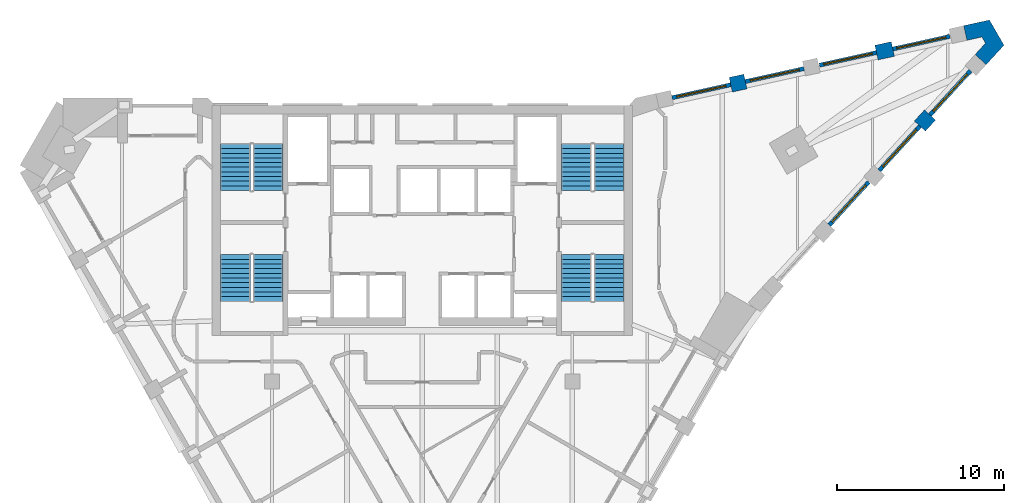
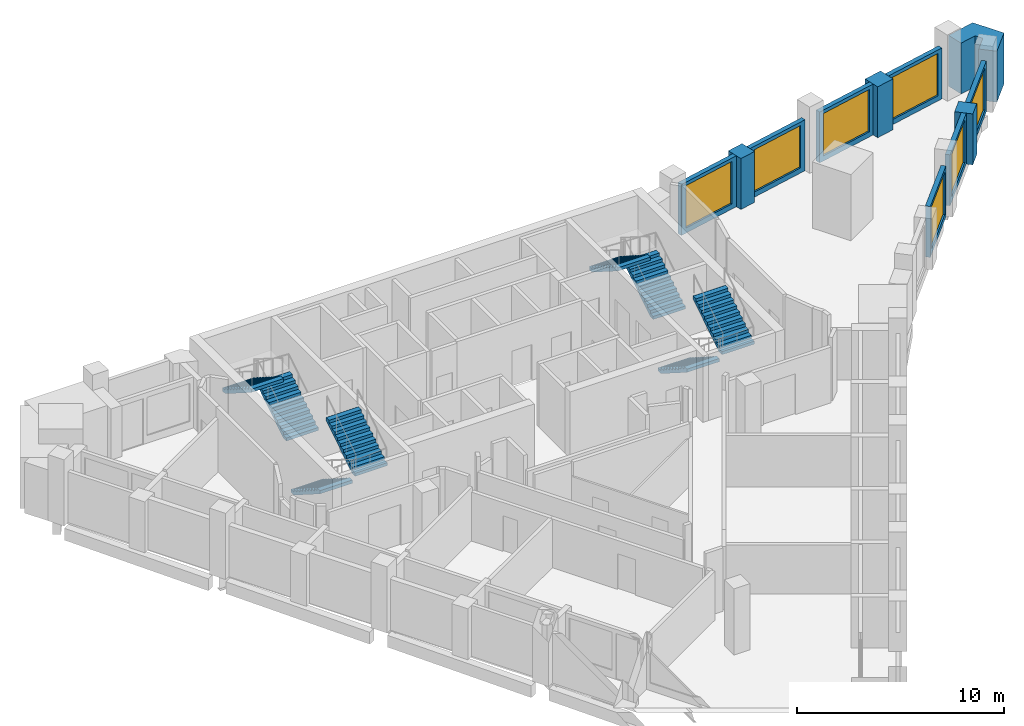
# One storey, part 7 of 8: 11 walls, 8 stair flights, 7 windows, 7 openings, 4 elements without a shape of their own.
"""IFC4 building model written with IfcOpenShell, lengths in metres."""

from ifc_helpers import new_model, si_unit, direction, frame, frame_2d, origin, place, context, subcontext, project, spatial, polyline, rectangle, outline, extrude, faceted_brep, source, transform, mapped, material, layer, layer_set, type_object, element, fill, aggregate, save


model = new_model("IFC4")

# Units and contexts
model_context = context("Model", 3, precision=1e-05, world=origin(), true_north=direction((0.0, 1.0)))
body_context = subcontext(model_context, "Body", "Model", "MODEL_VIEW")
ifc_project = project(units=[si_unit("LENGTHUNIT", "METRE"), si_unit("AREAUNIT", "SQUARE_METRE"), si_unit("VOLUMEUNIT", "CUBIC_METRE"), si_unit("PLANEANGLEUNIT", "RADIAN"), si_unit("MASSUNIT", "GRAM", prefix="KILO")], contexts=[model_context])

# Site, building, storey
site_placement = place(None, origin())
site = spatial("IfcSite", under=ifc_project, at=site_placement, CompositionType="ELEMENT")
building_placement = place(site_placement, origin())
building = spatial("IfcBuilding", under=site, at=building_placement, Name="Calabash Gate Tower", CompositionType="ELEMENT")
storey_placement = place(building_placement, frame((0.0, 0.0, 275.5)))
storey = spatial("IfcBuildingStorey", under=building, at=storey_placement, Name="L66", CompositionType="ELEMENT", Elevation=275.5)

# Walls
ifc_material_1 = material(Name="Terracotta brick masonry, exposed face", Category="masonry")
ifc_layer_1 = layer(ifc_material_1, 0.89990234375)
ifc_layer_set_1 = layer_set([ifc_layer_1], Name="Brick end wall 900")
wall_type_1 = type_object("IfcWallType", Name="Brick end wall 900", PredefinedType="SOLIDWALL", material=ifc_layer_set_1)
wall_1_placement = place(storey_placement, frame((30.44482421875, 18.47900390625, 0.0), z_axis=(0.0, 0.0, 1.0), x_axis=(-0.674938051731, -0.737874397391, 0.0)))
element("IfcWall", 1, at=wall_1_placement, inside=storey, type_object=wall_type_1, Name="Brick pier S19 wedge3.3", PredefinedType="SOLIDWALL", context=body_context, shape_type="SweptSolid", body=[
    extrude(rectangle(XDim=0.89990234375, YDim=0.89990234375, at=frame_2d((0.449951171875, 0.0))), origin(), (0.0, 0.0, 1.0), 3.0),
])
wall_2_placement = place(storey_placement, frame((28.21728515625, 22.436279296875, 0.0), z_axis=(0.0, 0.0, 1.0), x_axis=(-0.97656888558, -0.215205045752, 0.0)))
element("IfcWall", 2, at=wall_2_placement, inside=storey, type_object=wall_type_1, Name="Brick pier S19 wedge5.1", PredefinedType="SOLIDWALL", context=body_context, shape_type="SweptSolid", body=[
    extrude(rectangle(XDim=1.00390625, YDim=0.89990234375, at=frame_2d((0.501953125, 0.0))), origin(), (0.0, 0.0, 1.0), 3.0),
])
wall_3_placement = place(storey_placement, frame((18.4990234375, 20.2919921875, 0.0), z_axis=(0.0, 0.0, 1.0), x_axis=(0.976473402733, 0.215637876437, 0.0)))
element("IfcWall", 3, at=wall_3_placement, inside=storey, type_object=wall_type_1, Name="Brick pier S19 wedge5.3", PredefinedType="SOLIDWALL", context=body_context, shape_type="SweptSolid", body=[
    extrude(rectangle(XDim=0.900146484375, YDim=0.89990234375, at=frame_2d((0.4501953125, 0.0))), origin(), (0.0, 0.0, 1.0), 3.0),
])
wall_4_placement = place(storey_placement, origin())
element("IfcWall", 4, at=wall_4_placement, inside=storey, type_object=wall_type_1, Name="Brick end wall S19 2", PredefinedType="SOLIDWALL", context=body_context, shape_type="SweptSolid", body=[
    extrude(outline(polyline([(33.813720703125, 21.496337890625), (34.881591796875, 22.663818359375), (34.0087890625, 24.175048828125), (32.4638671875, 23.834228515625), (32.65771484375, 22.955322265625), (33.55908203125, 23.154296875), (33.7724609375, 22.78466796875), (33.149658203125, 22.103759765625), (33.813720703125, 21.496337890625)])), origin(), (0.0, 0.0, 1.0), 3.0),
])

# Wall, opening, window
ifc_material_2 = material(Name="Aluminium framed window wall with insulated spandrel", Category="aluminium")
ifc_layer_2 = layer(ifc_material_2, 0.25)
ifc_layer_set_2 = layer_set([ifc_layer_2], Name="Prow window wall 250")
wall_type_2 = type_object("IfcWallType", Name="Prow window wall 250", PredefinedType="ELEMENTEDWALL", material=ifc_layer_set_2)
wall_5_placement = place(storey_placement, frame((24.40478515625, 11.87451171875, 0.0), z_axis=(0.0, 0.0, 1.0), x_axis=(0.67487449122, 0.737932531537, 0.0)))
wall_5 = element("IfcWall", 5, at=wall_5_placement, inside=storey, type_object=wall_type_2, Name="Prow window wall S19 wedge3.2", PredefinedType="ELEMENTEDWALL", context=body_context, shape_type="SweptSolid", body=[
    extrude(rectangle(XDim=3.5, YDim=0.25, at=frame_2d((1.75, 0.0))), origin(), (0.0, 0.0, 1.0), 3.0),
])
opening_1_placement = place(wall_5_placement, frame((0.25, 0.0, 0.300048828125)))
opening_1 = element("IfcOpeningElement", 6, at=opening_1_placement, cuts=wall_5, Name="Opening WP2", PredefinedType="OPENING", context=body_context, shape_type="SweptSolid", body=[
    extrude(rectangle(XDim=3.0, YDim=2.5, at=frame_2d((1.5, 1.25))), frame((0.0, 0.135009765625, 0.0), z_axis=(0.0, -1.0, 0.0), x_axis=(1.0, 0.0, 0.0)), (0.0, 0.0, 1.0), 0.27001953125),
])
ifc_material_3 = material(Name="Anodised aluminium frame, bronze finish, impact-rated laminated clear glazing", Category="aluminium")
window_type = type_object("IfcWindowType", Name="Window WP2 3000x2500", PartitioningType="DOUBLE_PANEL_VERTICAL", PredefinedType="WINDOW", material=ifc_material_3)
window_1_placement = place(opening_1_placement, origin())
window_1 = element("IfcWindow", 7, at=window_1_placement, inside=storey, type_object=window_type, Name="Prow window WP2 S19 wedge3.2", OverallHeight=2.5, OverallWidth=3.0, PartitioningType="SINGLE_PANEL", PredefinedType="WINDOW", context=body_context, shape_type="SweptSolid", body=[
    extrude(rectangle(XDim=3.0, YDim=2.5, at=frame_2d((1.5, 1.25))), frame((0.0, 0.030029296875, 0.0), z_axis=(0.0, -1.0, 0.0), x_axis=(1.0, 0.0, 0.0)), (0.0, 0.0, 1.0), 0.06005859375),
])
fill(opening_1, window_1)

wall_6_placement = place(storey_placement, frame((27.407958984375, 15.158203125, 0.0), z_axis=(0.0, 0.0, 1.0), x_axis=(0.674833575111, 0.737969949187, 0.0)))
wall_6 = element("IfcWall", 8, at=wall_6_placement, inside=storey, type_object=wall_type_2, Name="Prow window wall S19 wedge3.3", PredefinedType="ELEMENTEDWALL", context=body_context, shape_type="SweptSolid", body=[
    extrude(rectangle(XDim=3.60009765625, YDim=0.25, at=frame_2d((1.800048828125, 0.0))), origin(), (0.0, 0.0, 1.0), 3.0),
])
opening_2_placement = place(wall_6_placement, frame((0.300048828125, 0.0, 0.300048828125)))
opening_2 = element("IfcOpeningElement", 9, at=opening_2_placement, cuts=wall_6, Name="Opening WP2", PredefinedType="OPENING", context=body_context, shape_type="SweptSolid", body=[
    extrude(rectangle(XDim=3.0, YDim=2.5, at=frame_2d((1.5, 1.25))), frame((0.0, 0.135009765625, 0.0), z_axis=(0.0, -1.0, 0.0), x_axis=(1.0, 0.0, 0.0)), (0.0, 0.0, 1.0), 0.27001953125),
])
window_2_placement = place(opening_2_placement, origin())
window_2 = element("IfcWindow", 10, at=window_2_placement, inside=storey, type_object=window_type, Name="Prow window WP2 S19 wedge3.3", OverallHeight=2.5, OverallWidth=3.0, PartitioningType="SINGLE_PANEL", PredefinedType="WINDOW", context=body_context, shape_type="SweptSolid", body=[
    extrude(rectangle(XDim=3.0, YDim=2.5, at=frame_2d((1.5, 1.25))), frame((0.0, 0.030029296875, 0.0), z_axis=(0.0, -1.0, 0.0), x_axis=(1.0, 0.0, 0.0)), (0.0, 0.0, 1.0), 0.06005859375),
])
fill(opening_2, window_2)

wall_7_placement = place(storey_placement, frame((30.44482421875, 18.47900390625, 0.0), z_axis=(0.0, 0.0, 1.0), x_axis=(0.674833575111, 0.737969949187, 0.0)))
wall_7 = element("IfcWall", 11, at=wall_7_placement, inside=storey, type_object=wall_type_2, Name="Prow window wall S19 wedge3.4", PredefinedType="ELEMENTEDWALL", context=body_context, shape_type="SweptSolid", body=[
    extrude(rectangle(XDim=3.60009765625, YDim=0.25, at=frame_2d((1.800048828125, 0.0))), origin(), (0.0, 0.0, 1.0), 3.0),
])
opening_3_placement = place(wall_7_placement, frame((0.300048828125, 0.0, 0.300048828125)))
opening_3 = element("IfcOpeningElement", 12, at=opening_3_placement, cuts=wall_7, Name="Opening WP2", PredefinedType="OPENING", context=body_context, shape_type="SweptSolid", body=[
    extrude(rectangle(XDim=3.0, YDim=2.5, at=frame_2d((1.5, 1.25))), frame((0.0, 0.135009765625, 0.0), z_axis=(0.0, -1.0, 0.0), x_axis=(1.0, 0.0, 0.0)), (0.0, 0.0, 1.0), 0.27001953125),
])
window_3_placement = place(opening_3_placement, origin())
window_3 = element("IfcWindow", 13, at=window_3_placement, inside=storey, type_object=window_type, Name="Prow window WP2 S19 wedge3.4", OverallHeight=2.5, OverallWidth=3.0, PartitioningType="SINGLE_PANEL", PredefinedType="WINDOW", context=body_context, shape_type="SweptSolid", body=[
    extrude(rectangle(XDim=3.0, YDim=2.5, at=frame_2d((1.5, 1.25))), frame((0.0, 0.030029296875, 0.0), z_axis=(0.0, -1.0, 0.0), x_axis=(1.0, 0.0, 0.0)), (0.0, 0.0, 1.0), 0.06005859375),
])
fill(opening_3, window_3)

wall_8_placement = place(storey_placement, frame((31.633056640625, 23.190185546875, 0.0), z_axis=(0.0, 0.0, 1.0), x_axis=(-0.976509313763, -0.215475196101, 0.0)))
wall_8 = element("IfcWall", 14, at=wall_8_placement, inside=storey, type_object=wall_type_2, Name="Prow window wall S19 wedge5.1", PredefinedType="ELEMENTEDWALL", context=body_context, shape_type="SweptSolid", body=[
    extrude(rectangle(XDim=3.5, YDim=0.25, at=frame_2d((1.75, 0.0))), origin(), (0.0, 0.0, 1.0), 3.0),
])
opening_4_placement = place(wall_8_placement, frame((0.25, 0.0, 0.300048828125)))
opening_4 = element("IfcOpeningElement", 15, at=opening_4_placement, cuts=wall_8, Name="Opening WP2", PredefinedType="OPENING", context=body_context, shape_type="SweptSolid", body=[
    extrude(rectangle(XDim=3.0, YDim=2.5, at=frame_2d((1.5, 1.25))), frame((0.0, 0.135009765625, 0.0), z_axis=(0.0, -1.0, 0.0), x_axis=(1.0, 0.0, 0.0)), (0.0, 0.0, 1.0), 0.27001953125),
])
window_4_placement = place(opening_4_placement, origin())
window_4 = element("IfcWindow", 16, at=window_4_placement, inside=storey, type_object=window_type, Name="Prow window WP2 S19 wedge5.1", OverallHeight=2.5, OverallWidth=3.0, PartitioningType="SINGLE_PANEL", PredefinedType="WINDOW", context=body_context, shape_type="SweptSolid", body=[
    extrude(rectangle(XDim=3.0, YDim=2.5, at=frame_2d((1.5, 1.25))), frame((0.0, 0.030029296875, 0.0), z_axis=(0.0, -1.0, 0.0), x_axis=(1.0, 0.0, 0.0)), (0.0, 0.0, 1.0), 0.06005859375),
])
fill(opening_4, window_4)

wall_9_placement = place(storey_placement, frame((27.23876953125, 22.220458984375, 0.0), z_axis=(0.0, 0.0, 1.0), x_axis=(-0.976509313763, -0.215475196101, 0.0)))
wall_9 = element("IfcWall", 17, at=wall_9_placement, inside=storey, type_object=wall_type_2, Name="Prow window wall S19 wedge5.2", PredefinedType="ELEMENTEDWALL", context=body_context, shape_type="SweptSolid", body=[
    extrude(rectangle(XDim=3.5, YDim=0.25, at=frame_2d((1.75, 0.0))), origin(), (0.0, 0.0, 1.0), 3.0),
])
opening_5_placement = place(wall_9_placement, frame((0.25, 0.0, 0.300048828125)))
opening_5 = element("IfcOpeningElement", 18, at=opening_5_placement, cuts=wall_9, Name="Opening WP2", PredefinedType="OPENING", context=body_context, shape_type="SweptSolid", body=[
    extrude(rectangle(XDim=3.0, YDim=2.5, at=frame_2d((1.5, 1.25))), frame((0.0, 0.135009765625, 0.0), z_axis=(0.0, -1.0, 0.0), x_axis=(1.0, 0.0, 0.0)), (0.0, 0.0, 1.0), 0.27001953125),
])
window_5_placement = place(opening_5_placement, origin())
window_5 = element("IfcWindow", 19, at=window_5_placement, inside=storey, type_object=window_type, Name="Prow window WP2 S19 wedge5.2", OverallHeight=2.5, OverallWidth=3.0, PartitioningType="SINGLE_PANEL", PredefinedType="WINDOW", context=body_context, shape_type="SweptSolid", body=[
    extrude(rectangle(XDim=3.0, YDim=2.5, at=frame_2d((1.5, 1.25))), frame((0.0, 0.030029296875, 0.0), z_axis=(0.0, -1.0, 0.0), x_axis=(1.0, 0.0, 0.0)), (0.0, 0.0, 1.0), 0.06005859375),
])
fill(opening_5, window_5)

wall_10_placement = place(storey_placement, frame((22.893310546875, 21.26171875, 0.0), z_axis=(0.0, 0.0, 1.0), x_axis=(-0.976513072969, -0.215458159096, 0.0)))
wall_10 = element("IfcWall", 20, at=wall_10_placement, inside=storey, type_object=wall_type_2, Name="Prow window wall S19 wedge5.3", PredefinedType="ELEMENTEDWALL", context=body_context, shape_type="SweptSolid", body=[
    extrude(rectangle(XDim=3.599853515625, YDim=0.25, at=frame_2d((1.7998046875, 0.0))), origin(), (0.0, 0.0, 1.0), 3.0),
])
opening_6_placement = place(wall_10_placement, frame((0.300048828125, 0.0, 0.300048828125)))
opening_6 = element("IfcOpeningElement", 21, at=opening_6_placement, cuts=wall_10, Name="Opening WP2", PredefinedType="OPENING", context=body_context, shape_type="SweptSolid", body=[
    extrude(rectangle(XDim=3.0, YDim=2.5, at=frame_2d((1.5, 1.25))), frame((0.0, 0.135009765625, 0.0), z_axis=(0.0, -1.0, 0.0), x_axis=(1.0, 0.0, 0.0)), (0.0, 0.0, 1.0), 0.27001953125),
])
window_6_placement = place(opening_6_placement, origin())
window_6 = element("IfcWindow", 22, at=window_6_placement, inside=storey, type_object=window_type, Name="Prow window WP2 S19 wedge5.3", OverallHeight=2.5, OverallWidth=3.0, PartitioningType="SINGLE_PANEL", PredefinedType="WINDOW", context=body_context, shape_type="SweptSolid", body=[
    extrude(rectangle(XDim=3.0, YDim=2.5, at=frame_2d((1.5, 1.25))), frame((0.0, 0.030029296875, 0.0), z_axis=(0.0, -1.0, 0.0), x_axis=(1.0, 0.0, 0.0)), (0.0, 0.0, 1.0), 0.06005859375),
])
fill(opening_6, window_6)

wall_11_placement = place(storey_placement, frame((18.4990234375, 20.2919921875, 0.0), z_axis=(0.0, 0.0, 1.0), x_axis=(-0.976513072969, -0.215458159096, 0.0)))
wall_11 = element("IfcWall", 23, at=wall_11_placement, inside=storey, type_object=wall_type_2, Name="Prow window wall S19 wedge5.4", PredefinedType="ELEMENTEDWALL", context=body_context, shape_type="SweptSolid", body=[
    extrude(rectangle(XDim=3.599853515625, YDim=0.25, at=frame_2d((1.7998046875, 0.0))), origin(), (0.0, 0.0, 1.0), 3.0),
])
opening_7_placement = place(wall_11_placement, frame((0.300048828125, 0.0, 0.300048828125)))
opening_7 = element("IfcOpeningElement", 24, at=opening_7_placement, cuts=wall_11, Name="Opening WP2", PredefinedType="OPENING", context=body_context, shape_type="SweptSolid", body=[
    extrude(rectangle(XDim=3.0, YDim=2.5, at=frame_2d((1.5, 1.25))), frame((0.0, 0.135009765625, 0.0), z_axis=(0.0, -1.0, 0.0), x_axis=(1.0, 0.0, 0.0)), (0.0, 0.0, 1.0), 0.27001953125),
])
window_7_placement = place(opening_7_placement, origin())
window_7 = element("IfcWindow", 25, at=window_7_placement, inside=storey, type_object=window_type, Name="Prow window WP2 S19 wedge5.4", OverallHeight=2.5, OverallWidth=3.0, PartitioningType="SINGLE_PANEL", PredefinedType="WINDOW", context=body_context, shape_type="SweptSolid", body=[
    extrude(rectangle(XDim=3.0, YDim=2.5, at=frame_2d((1.5, 1.25))), frame((0.0, 0.030029296875, 0.0), z_axis=(0.0, -1.0, 0.0), x_axis=(1.0, 0.0, 0.0)), (0.0, 0.0, 1.0), 0.06005859375),
])
fill(opening_7, window_7)

# Stair, stair flights
ifc_material_4 = material(Name="Concrete C40/50", Category="concrete")
stair_type = type_object("IfcStairType", Name="Exit stair 22 risers of 177.3 mm", PredefinedType="HALF_TURN_STAIR", material=ifc_material_4)
stair_1_placement = place(storey_placement, origin())
stair_1 = element("IfcStair", 26, at=stair_1_placement, inside=storey, type_object=stair_type, Name="L66 Exit stair ST1", PredefinedType="HALF_TURN_STAIR")
ifc_material_5 = material(Name="Concrete C40/50", Category="concrete")
stair_flight_type = type_object("IfcStairFlightType", Name="Exit stair flight SFL", PredefinedType="STRAIGHT", material=ifc_material_5)
shared_shape = source(origin(), body_context, "Body", "Brep", [
    faceted_brep([(-0.0009765625, -0.89990234375, 0.0), (0.279541015625, -0.89990234375, 0.0), (2.791015625, -0.89990234375, 1.59521484375), (-0.0009765625, 0.89990234375, 0.0), (2.791015625, 0.89990234375, 1.59521484375), (0.279541015625, 0.89990234375, 0.0), (2.791015625, -0.89990234375, 1.78466796875), (2.7900390625, -0.89990234375, 1.78466796875), (2.7900390625, 0.89990234375, 1.78466796875), (2.791015625, 0.89990234375, 1.78466796875), (2.7900390625, -0.89990234375, 1.772705078125), (2.7900390625, 0.89990234375, 1.772705078125), (2.510986328125, -0.89990234375, 1.772705078125), (2.510986328125, 0.89990234375, 1.772705078125), (2.510986328125, -0.89990234375, 1.595458984375), (2.510986328125, 0.89990234375, 1.595458984375), (2.23193359375, -0.89990234375, 1.595458984375), (2.23193359375, 0.89990234375, 1.595458984375), (2.23193359375, -0.89990234375, 1.418212890625), (2.23193359375, 0.89990234375, 1.418212890625), (1.952880859375, -0.89990234375, 1.418212890625), (1.952880859375, -0.89990234375, 1.240966796875), (1.952880859375, 0.89990234375, 1.240966796875), (1.952880859375, 0.89990234375, 1.418212890625), (1.674072265625, -0.89990234375, 1.240966796875), (1.674072265625, -0.89990234375, 1.063720703125), (1.674072265625, 0.89990234375, 1.063720703125), (1.674072265625, 0.89990234375, 1.240966796875), (1.39501953125, -0.89990234375, 1.063720703125), (1.39501953125, -0.89990234375, 0.886474609375), (1.39501953125, 0.89990234375, 0.886474609375), (1.39501953125, 0.89990234375, 1.063720703125), (1.115966796875, -0.89990234375, 0.886474609375), (1.115966796875, -0.89990234375, 0.708984375), (1.115966796875, 0.89990234375, 0.708984375), (1.115966796875, 0.89990234375, 0.886474609375), (0.8369140625, -0.89990234375, 0.708984375), (0.8369140625, -0.89990234375, 0.53173828125), (0.8369140625, 0.89990234375, 0.53173828125), (0.8369140625, 0.89990234375, 0.708984375), (0.55810546875, -0.89990234375, 0.53173828125), (0.55810546875, -0.89990234375, 0.3544921875), (0.55810546875, 0.89990234375, 0.3544921875), (0.55810546875, 0.89990234375, 0.53173828125), (0.279052734375, -0.89990234375, 0.3544921875), (0.279052734375, -0.89990234375, 0.17724609375), (0.279052734375, 0.89990234375, 0.17724609375), (0.279052734375, 0.89990234375, 0.3544921875), (-0.0009765625, -0.89990234375, 0.17724609375), (-0.0009765625, 0.89990234375, 0.17724609375), (0.279541015625, -0.360107421875, 0.0), (2.791015625, -0.360107421875, 1.59521484375), (0.279541015625, 0.0, 0.0), (2.791015625, 0.0, 1.59521484375), (0.279541015625, 0.360107421875, 0.0), (2.791015625, 0.360107421875, 1.59521484375), (2.791015625, -0.360107421875, 1.78466796875), (2.791015625, 0.0, 1.78466796875), (2.791015625, 0.360107421875, 1.78466796875), (2.7900390625, -0.360107421875, 1.78466796875), (2.7900390625, 0.0, 1.78466796875), (2.7900390625, 0.360107421875, 1.78466796875), (2.7900390625, -0.360107421875, 1.772705078125), (2.7900390625, 0.0, 1.772705078125), (2.7900390625, 0.360107421875, 1.772705078125), (2.510986328125, -0.360107421875, 1.772705078125), (2.510986328125, 0.0, 1.772705078125), (2.510986328125, 0.360107421875, 1.772705078125), (2.510986328125, -0.360107421875, 1.595458984375), (2.510986328125, 0.0, 1.595458984375), (2.510986328125, 0.360107421875, 1.595458984375), (2.23193359375, -0.360107421875, 1.595458984375), (2.23193359375, 0.0, 1.595458984375), (2.23193359375, 0.360107421875, 1.595458984375), (2.23193359375, -0.360107421875, 1.418212890625), (2.23193359375, 0.0, 1.418212890625), (2.23193359375, 0.360107421875, 1.418212890625), (1.952880859375, -0.360107421875, 1.418212890625), (1.952880859375, 0.0, 1.418212890625), (1.952880859375, 0.360107421875, 1.418212890625), (1.952880859375, -0.360107421875, 1.240966796875), (1.952880859375, 0.0, 1.240966796875), (1.952880859375, 0.360107421875, 1.240966796875), (1.674072265625, -0.360107421875, 1.240966796875), (1.674072265625, 0.0, 1.240966796875), (1.674072265625, 0.360107421875, 1.240966796875), (1.674072265625, -0.360107421875, 1.063720703125), (1.674072265625, 0.0, 1.063720703125), (1.674072265625, 0.360107421875, 1.063720703125), (1.39501953125, -0.360107421875, 1.063720703125), (1.39501953125, 0.0, 1.063720703125), (1.39501953125, 0.360107421875, 1.063720703125), (1.39501953125, -0.360107421875, 0.886474609375), (1.39501953125, 0.0, 0.886474609375), (1.39501953125, 0.360107421875, 0.886474609375), (1.115966796875, -0.360107421875, 0.886474609375), (1.115966796875, 0.0, 0.886474609375), (1.115966796875, 0.360107421875, 0.886474609375), (1.115966796875, -0.360107421875, 0.708984375), (1.115966796875, 0.0, 0.708984375), (1.115966796875, 0.360107421875, 0.708984375), (0.8369140625, -0.360107421875, 0.708984375), (0.8369140625, 0.0, 0.708984375), (0.8369140625, 0.360107421875, 0.708984375), (0.8369140625, -0.360107421875, 0.53173828125), (0.8369140625, 0.0, 0.53173828125), (0.8369140625, 0.360107421875, 0.53173828125), (0.55810546875, -0.360107421875, 0.53173828125), (0.55810546875, 0.0, 0.53173828125), (0.55810546875, 0.360107421875, 0.53173828125), (0.55810546875, -0.360107421875, 0.3544921875), (0.55810546875, 0.0, 0.3544921875), (0.55810546875, 0.360107421875, 0.3544921875), (0.279052734375, -0.360107421875, 0.3544921875), (0.279052734375, 0.0, 0.3544921875), (0.279052734375, 0.360107421875, 0.3544921875), (0.279052734375, -0.360107421875, 0.17724609375), (0.279052734375, 0.0, 0.17724609375), (0.279052734375, 0.360107421875, 0.17724609375), (-0.0009765625, -0.360107421875, 0.17724609375), (-0.0009765625, 0.0, 0.17724609375), (-0.0009765625, 0.360107421875, 0.17724609375), (-0.0009765625, -0.360107421875, 0.0), (-0.0009765625, 0.0, 0.0), (-0.0009765625, 0.360107421875, 0.0)], [[[0, 1, 2]], [[3, 4, 5]], [[2, 6, 7]], [[4, 8, 9]], [[2, 7, 10]], [[4, 11, 8]], [[2, 10, 12]], [[4, 13, 11]], [[2, 12, 14]], [[4, 15, 13]], [[2, 14, 16]], [[4, 17, 15]], [[2, 16, 18]], [[4, 19, 17]], [[18, 20, 21]], [[19, 22, 23]], [[2, 18, 21]], [[4, 22, 19]], [[21, 24, 25]], [[22, 26, 27]], [[2, 21, 25]], [[4, 26, 22]], [[25, 28, 29]], [[26, 30, 31]], [[2, 25, 29]], [[4, 30, 26]], [[29, 32, 33]], [[30, 34, 35]], [[2, 29, 33]], [[4, 34, 30]], [[33, 36, 37]], [[34, 38, 39]], [[2, 33, 37]], [[4, 38, 34]], [[37, 40, 41]], [[38, 42, 43]], [[2, 37, 41]], [[4, 42, 38]], [[41, 44, 45]], [[42, 46, 47]], [[2, 41, 45]], [[4, 46, 42]], [[0, 2, 45]], [[3, 46, 4]], [[45, 48, 0]], [[46, 3, 49]], [[1, 50, 2]], [[50, 51, 2]], [[50, 52, 51]], [[52, 53, 51]], [[52, 54, 55]], [[52, 55, 53]], [[54, 5, 4]], [[54, 4, 55]], [[2, 51, 6]], [[51, 56, 6]], [[51, 53, 56]], [[53, 57, 56]], [[53, 55, 58]], [[53, 58, 57]], [[55, 4, 9]], [[55, 9, 58]], [[6, 56, 7]], [[56, 59, 7]], [[56, 57, 59]], [[57, 60, 59]], [[57, 58, 61]], [[57, 61, 60]], [[58, 9, 8]], [[58, 8, 61]], [[7, 59, 10]], [[59, 62, 10]], [[59, 60, 62]], [[60, 63, 62]], [[60, 61, 64]], [[60, 64, 63]], [[61, 8, 11]], [[61, 11, 64]], [[10, 62, 12]], [[62, 65, 12]], [[62, 63, 65]], [[63, 66, 65]], [[63, 64, 67]], [[63, 67, 66]], [[64, 11, 13]], [[64, 13, 67]], [[12, 65, 14]], [[65, 68, 14]], [[65, 66, 68]], [[66, 69, 68]], [[66, 67, 70]], [[66, 70, 69]], [[67, 13, 15]], [[67, 15, 70]], [[14, 68, 16]], [[68, 71, 16]], [[68, 69, 71]], [[69, 72, 71]], [[69, 70, 73]], [[69, 73, 72]], [[70, 15, 17]], [[70, 17, 73]], [[16, 71, 18]], [[71, 74, 18]], [[71, 72, 74]], [[72, 75, 74]], [[72, 73, 76]], [[72, 76, 75]], [[73, 17, 19]], [[73, 19, 76]], [[18, 74, 20]], [[74, 77, 20]], [[74, 75, 77]], [[75, 78, 77]], [[75, 76, 79]], [[75, 79, 78]], [[76, 19, 23]], [[76, 23, 79]], [[20, 77, 21]], [[77, 80, 21]], [[77, 78, 80]], [[78, 81, 80]], [[78, 79, 82]], [[78, 82, 81]], [[79, 23, 22]], [[79, 22, 82]], [[21, 80, 24]], [[80, 83, 24]], [[80, 81, 83]], [[81, 84, 83]], [[81, 82, 85]], [[81, 85, 84]], [[82, 22, 27]], [[82, 27, 85]], [[24, 83, 25]], [[83, 86, 25]], [[83, 84, 86]], [[84, 87, 86]], [[84, 85, 88]], [[84, 88, 87]], [[85, 27, 26]], [[85, 26, 88]], [[25, 86, 28]], [[86, 89, 28]], [[86, 87, 89]], [[87, 90, 89]], [[87, 88, 91]], [[87, 91, 90]], [[88, 26, 31]], [[88, 31, 91]], [[28, 89, 29]], [[89, 92, 29]], [[89, 90, 92]], [[90, 93, 92]], [[90, 91, 94]], [[90, 94, 93]], [[91, 31, 30]], [[91, 30, 94]], [[29, 92, 32]], [[92, 95, 32]], [[92, 93, 95]], [[93, 96, 95]], [[93, 94, 97]], [[93, 97, 96]], [[94, 30, 35]], [[94, 35, 97]], [[32, 95, 33]], [[95, 98, 33]], [[95, 96, 98]], [[96, 99, 98]], [[96, 97, 100]], [[96, 100, 99]], [[97, 35, 34]], [[97, 34, 100]], [[33, 98, 36]], [[98, 101, 36]], [[98, 99, 101]], [[99, 102, 101]], [[99, 100, 103]], [[99, 103, 102]], [[100, 34, 39]], [[100, 39, 103]], [[36, 101, 37]], [[101, 104, 37]], [[101, 102, 104]], [[102, 105, 104]], [[102, 103, 106]], [[102, 106, 105]], [[103, 39, 38]], [[103, 38, 106]], [[37, 104, 40]], [[104, 107, 40]], [[104, 105, 107]], [[105, 108, 107]], [[105, 106, 109]], [[105, 109, 108]], [[106, 38, 43]], [[106, 43, 109]], [[40, 107, 41]], [[107, 110, 41]], [[107, 108, 110]], [[108, 111, 110]], [[108, 109, 112]], [[108, 112, 111]], [[109, 43, 42]], [[109, 42, 112]], [[41, 110, 44]], [[110, 113, 44]], [[110, 111, 113]], [[111, 114, 113]], [[111, 112, 115]], [[111, 115, 114]], [[112, 42, 47]], [[112, 47, 115]], [[44, 113, 45]], [[113, 116, 45]], [[113, 114, 116]], [[114, 117, 116]], [[114, 115, 118]], [[114, 118, 117]], [[115, 47, 46]], [[115, 46, 118]], [[45, 116, 48]], [[116, 119, 48]], [[116, 117, 119]], [[117, 120, 119]], [[117, 118, 121]], [[117, 121, 120]], [[118, 46, 49]], [[118, 49, 121]], [[48, 119, 0]], [[119, 122, 0]], [[119, 120, 122]], [[120, 123, 122]], [[120, 121, 124]], [[120, 124, 123]], [[121, 49, 3]], [[121, 3, 124]], [[0, 122, 1]], [[122, 50, 1]], [[122, 123, 50]], [[123, 52, 50]], [[123, 124, 54]], [[123, 54, 52]], [[124, 3, 5]], [[124, 5, 54]]]),
])
stair_flight_1_placement = place(storey_placement, frame((-9.25, 13.95263671875, 0.0), z_axis=(0.0, 0.0, 1.0), x_axis=(0.0, 1.0, 0.0)))
stair_flight_1 = element("IfcStairFlight", 27, at=stair_flight_1_placement, type_object=stair_flight_type, Name="ST1 flight 1", NumberOfRisers=11, NumberOfTreads=10, PredefinedType="STRAIGHT", RiserHeight=0.177272727, TreadLength=0.279, context=body_context, shape_type="MappedRepresentation", body=[
    mapped(shared_shape, transform((0.0, 0.0, 0.0), scale=1.0)),
])
stair_flight_2_placement = place(storey_placement, frame((-11.199951171875, 16.74267578125, 1.949951171875), z_axis=(0.0, 0.0, 1.0), x_axis=(0.0, -1.0, 0.0)))
stair_flight_2 = element("IfcStairFlight", 28, at=stair_flight_2_placement, type_object=stair_flight_type, Name="ST1 flight 2", NumberOfRisers=11, NumberOfTreads=10, PredefinedType="STRAIGHT", RiserHeight=0.177272727, TreadLength=0.279, context=body_context, shape_type="MappedRepresentation", body=[
    mapped(shared_shape, transform((0.0, 0.0, 0.0), scale=1.0)),
])
aggregate(stair_1, [stair_flight_1, stair_flight_2])

stair_2_placement = place(storey_placement, origin())
stair_2 = element("IfcStair", 29, at=stair_2_placement, inside=storey, type_object=stair_type, Name="L66 Exit stair ST2", PredefinedType="HALF_TURN_STAIR")
stair_flight_3_placement = place(storey_placement, frame((-11.199951171875, 10.1025390625, 0.0), z_axis=(0.0, 0.0, 1.0), x_axis=(0.0, -1.0, 0.0)))
stair_flight_3 = element("IfcStairFlight", 30, at=stair_flight_3_placement, type_object=stair_flight_type, Name="ST2 flight 1", NumberOfRisers=11, NumberOfTreads=10, PredefinedType="STRAIGHT", RiserHeight=0.177272727, TreadLength=0.279, context=body_context, shape_type="MappedRepresentation", body=[
    mapped(shared_shape, transform((0.0, 0.0, 0.0), scale=1.0)),
])
stair_flight_4_placement = place(storey_placement, frame((-9.25, 7.3125, 1.949951171875), z_axis=(0.0, 0.0, 1.0), x_axis=(0.0, 1.0, 0.0)))
stair_flight_4 = element("IfcStairFlight", 31, at=stair_flight_4_placement, type_object=stair_flight_type, Name="ST2 flight 2", NumberOfRisers=11, NumberOfTreads=10, PredefinedType="STRAIGHT", RiserHeight=0.177272727, TreadLength=0.279, context=body_context, shape_type="MappedRepresentation", body=[
    mapped(shared_shape, transform((0.0, 0.0, 0.0), scale=1.0)),
])
aggregate(stair_2, [stair_flight_3, stair_flight_4])

stair_3_placement = place(storey_placement, origin())
stair_3 = element("IfcStair", 32, at=stair_3_placement, inside=storey, type_object=stair_type, Name="L66 Exit stair ST3", PredefinedType="HALF_TURN_STAIR")
stair_flight_5_placement = place(storey_placement, frame((11.199951171875, 13.95263671875, 0.0), z_axis=(0.0, 0.0, 1.0), x_axis=(0.0, 1.0, 0.0)))
stair_flight_5 = element("IfcStairFlight", 33, at=stair_flight_5_placement, type_object=stair_flight_type, Name="ST3 flight 1", NumberOfRisers=11, NumberOfTreads=10, PredefinedType="STRAIGHT", RiserHeight=0.177272727, TreadLength=0.279, context=body_context, shape_type="MappedRepresentation", body=[
    mapped(shared_shape, transform((0.0, 0.0, 0.0), scale=1.0)),
])
stair_flight_6_placement = place(storey_placement, frame((9.25, 16.74267578125, 1.949951171875), z_axis=(0.0, 0.0, 1.0), x_axis=(0.0, -1.0, 0.0)))
stair_flight_6 = element("IfcStairFlight", 34, at=stair_flight_6_placement, type_object=stair_flight_type, Name="ST3 flight 2", NumberOfRisers=11, NumberOfTreads=10, PredefinedType="STRAIGHT", RiserHeight=0.177272727, TreadLength=0.279, context=body_context, shape_type="MappedRepresentation", body=[
    mapped(shared_shape, transform((0.0, 0.0, 0.0), scale=1.0)),
])
aggregate(stair_3, [stair_flight_5, stair_flight_6])

stair_4_placement = place(storey_placement, origin())
stair_4 = element("IfcStair", 35, at=stair_4_placement, inside=storey, type_object=stair_type, Name="L66 Exit stair ST4", PredefinedType="HALF_TURN_STAIR")
stair_flight_7_placement = place(storey_placement, frame((9.25, 10.1025390625, 0.0), z_axis=(0.0, 0.0, 1.0), x_axis=(0.0, -1.0, 0.0)))
stair_flight_7 = element("IfcStairFlight", 36, at=stair_flight_7_placement, type_object=stair_flight_type, Name="ST4 flight 1", NumberOfRisers=11, NumberOfTreads=10, PredefinedType="STRAIGHT", RiserHeight=0.177272727, TreadLength=0.279, context=body_context, shape_type="MappedRepresentation", body=[
    mapped(shared_shape, transform((0.0, 0.0, 0.0), scale=1.0)),
])
stair_flight_8_placement = place(storey_placement, frame((11.199951171875, 7.3125, 1.949951171875), z_axis=(0.0, 0.0, 1.0), x_axis=(0.0, 1.0, 0.0)))
stair_flight_8 = element("IfcStairFlight", 37, at=stair_flight_8_placement, type_object=stair_flight_type, Name="ST4 flight 2", NumberOfRisers=11, NumberOfTreads=10, PredefinedType="STRAIGHT", RiserHeight=0.177272727, TreadLength=0.279, context=body_context, shape_type="MappedRepresentation", body=[
    mapped(shared_shape, transform((0.0, 0.0, 0.0), scale=1.0)),
])
aggregate(stair_4, [stair_flight_7, stair_flight_8])

save(model, "model.ifc")
